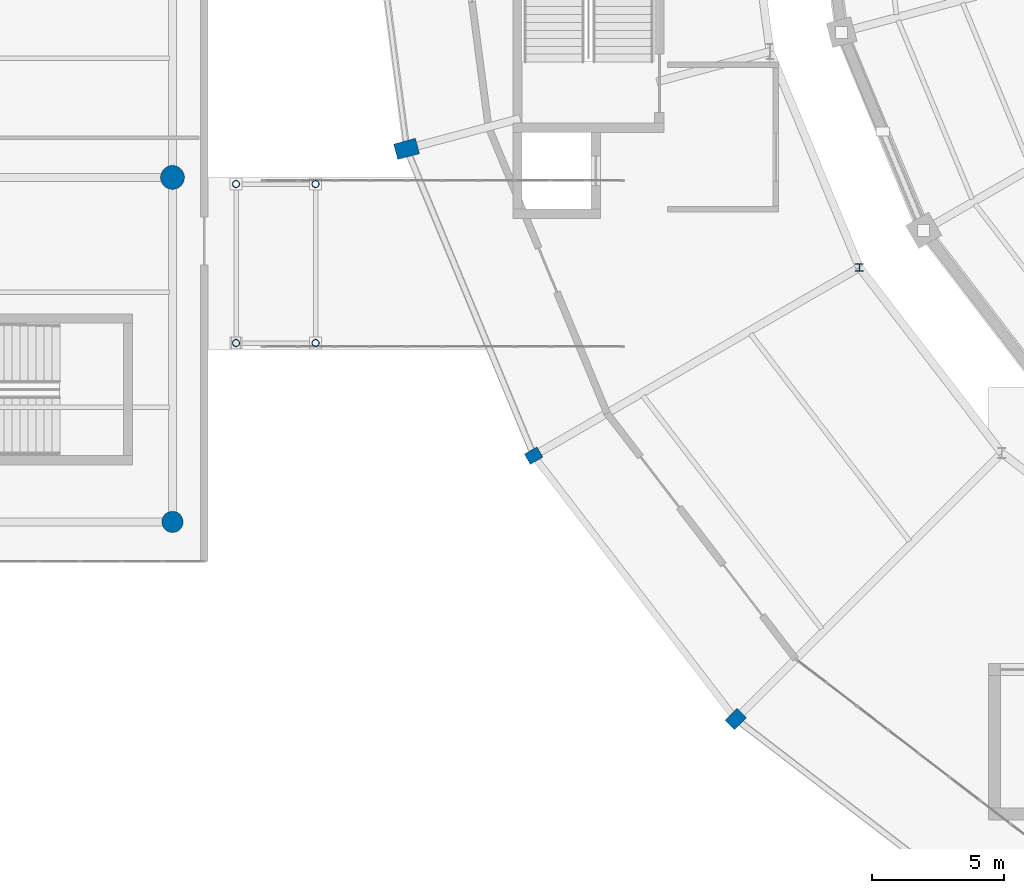
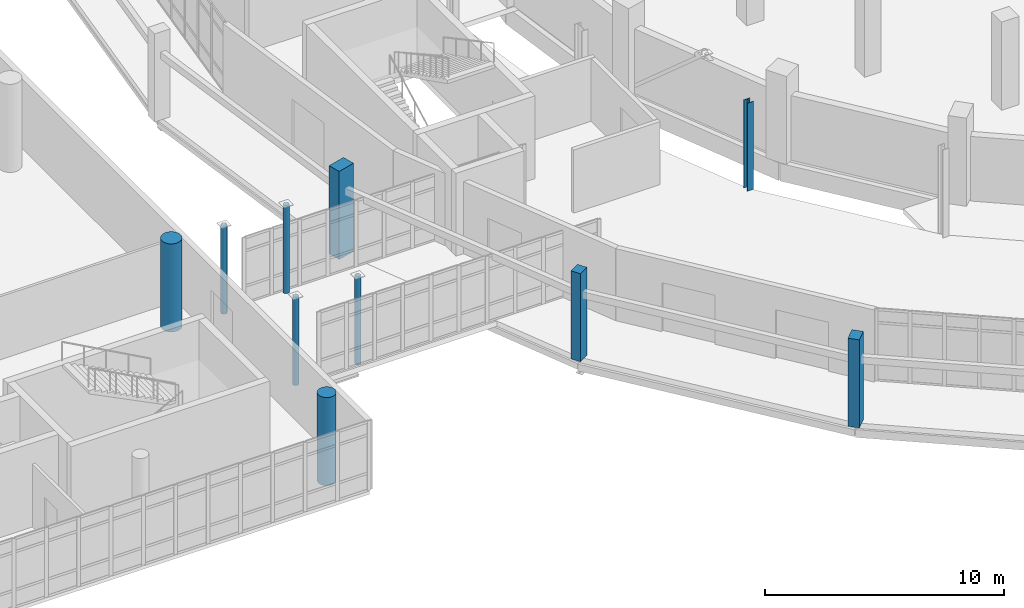
# One storey, part 2 of 122: 10 columns.
"""IFC4 building model written with IfcOpenShell, lengths in metres."""

from ifc_helpers import new_model, si_unit, direction, frame, origin, origin_2d, place, context, subcontext, project, spatial, rectangle, circle, hollow_circle, i_section, extrude, material, material_profile, profile_set, type_object, element, save


model = new_model("IFC4")

# Units and contexts
model_context = context("Model", 3, precision=1e-05, world=origin(), true_north=direction((0.0, 1.0)))
body_context = subcontext(model_context, "Body", "Model", "MODEL_VIEW")
ifc_project = project(units=[si_unit("LENGTHUNIT", "METRE"), si_unit("AREAUNIT", "SQUARE_METRE"), si_unit("VOLUMEUNIT", "CUBIC_METRE"), si_unit("PLANEANGLEUNIT", "RADIAN"), si_unit("MASSUNIT", "GRAM", prefix="KILO")], contexts=[model_context])

# Site, building, storey
site_placement = place(None, origin())
site = spatial("IfcSite", under=ifc_project, at=site_placement, CompositionType="ELEMENT")
building_placement = place(site_placement, origin())
building = spatial("IfcBuilding", under=site, at=building_placement, Name="Sohan Crest Arena", CompositionType="ELEMENT")
storey_placement = place(building_placement, origin())
storey = spatial("IfcBuildingStorey", under=building, at=storey_placement, Name="L00", CompositionType="ELEMENT", Elevation=0.0)

# Columns
ifc_material_1 = material(Name="Concrete C40/50", Category="concrete")
ifc_material_profile_1 = material_profile(ifc_material_1, circle(Radius=0.39990234375, at=origin_2d()), Name="RC D800")
ifc_profile_set_1 = profile_set([ifc_material_profile_1], Name="Concrete C40/50")
column_type_1 = type_object("IfcColumnType", Name="STR-COL-C14", PredefinedType="COLUMN", material=ifc_profile_set_1)
column_1_placement = place(storey_placement, frame((42.800048828125, 51.5, 0.0), z_axis=(0.0, 0.0, 1.0), x_axis=(1.0, 0.0, 0.0)))
element("IfcColumn", 1, at=column_1_placement, inside=storey, type_object=column_type_1, Name="Structural column COL-V3C-41-L00", PredefinedType="COLUMN", context=body_context, shape_type="SweptSolid", body=[
    extrude(circle(Radius=0.39990234375, at=origin_2d()), origin(), (0.0, 0.0, 1.0), 4.5),
])
ifc_material_profile_2 = material_profile(ifc_material_1, circle(Radius=0.449951171875, at=origin_2d()), Name="RC D900")
ifc_profile_set_2 = profile_set([ifc_material_profile_2], Name="Concrete C40/50")
column_type_2 = type_object("IfcColumnType", Name="STR-COL-C15", PredefinedType="COLUMN", material=ifc_profile_set_2)
column_2_placement = place(storey_placement, frame((42.800048828125, 64.5, 0.0), z_axis=(0.0, 0.0, 1.0), x_axis=(1.0, 0.0, 0.0)))
element("IfcColumn", 2, at=column_2_placement, inside=storey, type_object=column_type_2, Name="Structural column COL-V3C-42-L00", PredefinedType="COLUMN", context=body_context, shape_type="SweptSolid", body=[
    extrude(circle(Radius=0.449951171875, at=origin_2d()), origin(), (0.0, 0.0, 1.0), 4.5),
])
ifc_material_2 = material(Name="Steel S355", Category="steel")
ifc_material_profile_3 = material_profile(ifc_material_2, i_section(OverallWidth=0.300048828125, OverallDepth=0.300048828125, WebThickness=0.010986328125, FlangeThickness=0.01904296875, at=origin_2d()), Name="HEB 300")
ifc_profile_set_3 = profile_set([ifc_material_profile_3], Name="Steel S355")
column_type_3 = type_object("IfcColumnType", Name="STR-COL-C17", PredefinedType="COLUMN", material=ifc_profile_set_3)
column_3_placement = place(storey_placement, frame((68.72802734375, 61.10009765625, 0.0), z_axis=(0.0, 0.0, 1.0), x_axis=(1.0, 0.0, 0.0)))
element("IfcColumn", 3, at=column_3_placement, inside=storey, type_object=column_type_3, Name="Structural column COL-V2I-09-L00", PredefinedType="COLUMN", context=body_context, shape_type="SweptSolid", body=[
    extrude(i_section(OverallWidth=0.300048828125, OverallDepth=0.300048828125, WebThickness=0.010986328125, FlangeThickness=0.01904296875, at=origin_2d()), origin(), (0.0, 0.0, 1.0), 4.5),
])
ifc_material_profile_4 = material_profile(ifc_material_2, hollow_circle(Radius=0.136474609375, WallThickness=0.012451171875, at=origin_2d()), Name="CHS 273x12.5")
ifc_profile_set_4 = profile_set([ifc_material_profile_4], Name="Steel S355")
column_type_4 = type_object("IfcColumnType", Name="STR-COL-C25", PredefinedType="COLUMN", material=ifc_profile_set_4)
for number, where, z_axis, x_axis, name in (
    (4, (45.199951171875, 58.25, 0.0), (0.0, 0.0, 1.0), (1.0, 0.0, 0.0), "Structural column COL-BC-BR-W1-1-L00"),
    (5, (48.199951171875, 58.25, 0.0), (0.0, 0.0, 1.0), (1.0, 0.0, 0.0), "Structural column COL-BC-BR-W1-2-L00"),
    (6, (45.199951171875, 64.25, 0.0), (0.0, 0.0, 1.0), (1.0, 0.0, 0.0), "Structural column COL-BC-BR-W1-3-L00"),
    (7, (48.199951171875, 64.25, 0.0), (0.0, 0.0, 1.0), (1.0, 0.0, 0.0), "Structural column COL-BC-BR-W1-4-L00"),
):
    element("IfcColumn", number, at=place(storey_placement, frame(where, z_axis=z_axis, x_axis=x_axis)), inside=storey, type_object=column_type_4, Name=name, PredefinedType="COLUMN", context=body_context, shape_type="SweptSolid", body=[
        extrude(hollow_circle(Radius=0.136474609375, WallThickness=0.012451171875, at=origin_2d()), origin(), (0.0, 0.0, 1.0), 4.5),
    ])
ifc_material_profile_5 = material_profile(ifc_material_1, rectangle(XDim=0.550048828125, YDim=0.449951171875, at=origin_2d()), Name="RC 550x450")
ifc_profile_set_5 = profile_set([ifc_material_profile_5], Name="Concrete C40/50")
column_type_5 = type_object("IfcColumnType", Name="STR-COL-PC01", PredefinedType="PILASTER", material=ifc_profile_set_5)
column_4_placement = place(storey_placement, frame((56.430908203125, 54.0, 0.0), z_axis=(0.0, 0.0, 1.0), x_axis=(0.866025403784, 0.5, 0.0)))
element("IfcColumn", 8, at=column_4_placement, inside=storey, type_object=column_type_5, Name="Structural column COL-V2O-09-L00", PredefinedType="PILASTER", context=body_context, shape_type="SweptSolid", body=[
    extrude(rectangle(XDim=0.550048828125, YDim=0.449951171875, at=origin_2d()), origin(), (0.0, 0.0, 1.0), 4.5),
])
ifc_material_profile_6 = material_profile(ifc_material_1, rectangle(XDim=0.64990234375, YDim=0.5, at=origin_2d()), Name="RC 650x500")
ifc_profile_set_6 = profile_set([ifc_material_profile_6], Name="Concrete C40/50")
column_type_6 = type_object("IfcColumnType", Name="STR-COL-PC02", PredefinedType="PILASTER", material=ifc_profile_set_6)
column_5_placement = place(storey_placement, frame((64.05908203125, 44.05908203125, 0.0), z_axis=(0.0, 0.0, 1.0), x_axis=(0.707106781187, 0.707106781187, 0.0)))
element("IfcColumn", 9, at=column_5_placement, inside=storey, type_object=column_type_6, Name="Structural column COL-V2O-10-L00", PredefinedType="PILASTER", context=body_context, shape_type="SweptSolid", body=[
    extrude(rectangle(XDim=0.64990234375, YDim=0.5, at=origin_2d()), origin(), (0.0, 0.0, 1.0), 4.5),
])
ifc_material_profile_7 = material_profile(ifc_material_1, rectangle(XDim=0.85009765625, YDim=0.60009765625, at=origin_2d()), Name="RC 850x600")
ifc_profile_set_7 = profile_set([ifc_material_profile_7], Name="Concrete C40/50")
column_type_7 = type_object("IfcColumnType", Name="STR-COL-PC04", PredefinedType="PILASTER", material=ifc_profile_set_7)
column_6_placement = place(storey_placement, frame((51.635986328125, 65.576904296875, 0.0), z_axis=(0.0, 0.0, 1.0), x_axis=(0.965925826289, 0.258819045103, 0.0)))
element("IfcColumn", 10, at=column_6_placement, inside=storey, type_object=column_type_7, Name="Structural column COL-V2O-08-L00", PredefinedType="PILASTER", context=body_context, shape_type="SweptSolid", body=[
    extrude(rectangle(XDim=0.85009765625, YDim=0.60009765625, at=origin_2d()), origin(), (0.0, 0.0, 1.0), 4.5),
])

save(model, "model.ifc")
